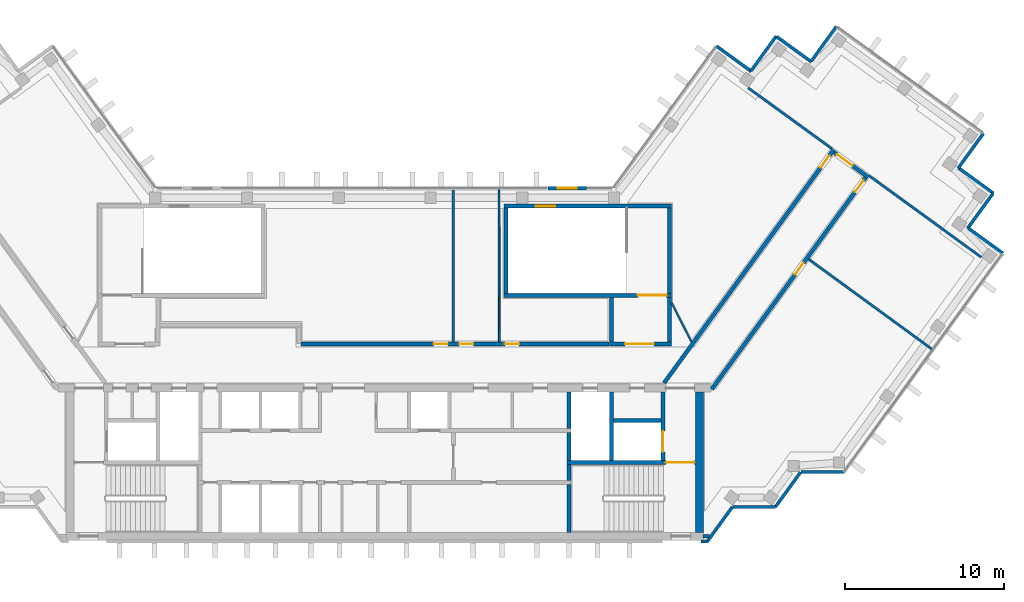
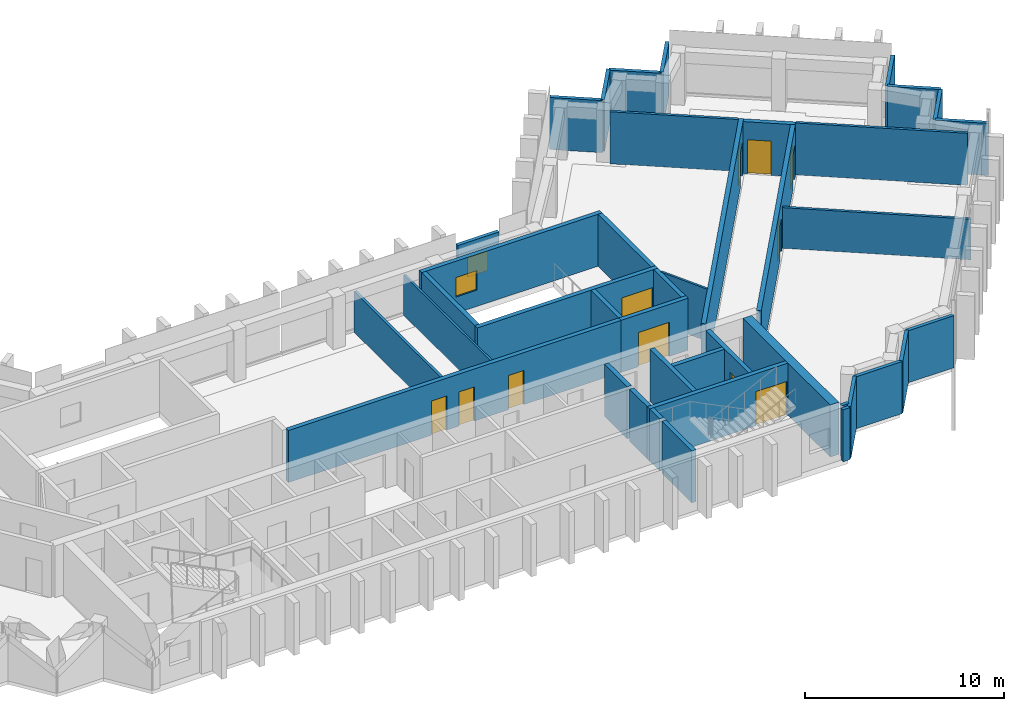
# One storey, part 6 of 8: 41 walls, 11 doors, 2 windows, 13 openings.
"""IFC4 building model written with IfcOpenShell, lengths in metres."""

from ifc_helpers import new_model, si_unit, direction, frame, frame_2d, origin, place, context, subcontext, project, spatial, rectangle, extrude, material, layer, layer_set, type_object, element, fill, save


model = new_model("IFC4")

# Units and contexts
model_context = context("Model", 3, precision=1e-05, world=origin(), true_north=direction((0.0, 1.0)))
body_context = subcontext(model_context, "Body", "Model", "MODEL_VIEW")
ifc_project = project(units=[si_unit("LENGTHUNIT", "METRE"), si_unit("AREAUNIT", "SQUARE_METRE"), si_unit("VOLUMEUNIT", "CUBIC_METRE"), si_unit("PLANEANGLEUNIT", "RADIAN"), si_unit("MASSUNIT", "GRAM", prefix="KILO")], contexts=[model_context])

# Site, building, storey
site_placement = place(None, origin())
site = spatial("IfcSite", under=ifc_project, at=site_placement, CompositionType="ELEMENT")
building_placement = place(site_placement, origin())
building = spatial("IfcBuilding", under=site, at=building_placement, Name="Quipu Civic Tower", CompositionType="ELEMENT")
storey_placement = place(building_placement, frame((0.0, 0.0, 351.0)))
storey = spatial("IfcBuildingStorey", under=building, at=storey_placement, Name="L82", CompositionType="ELEMENT", Elevation=351.0)

# Walls
ifc_material_1 = material(Name="Double gypsum plasterboard with mineral wool")
ifc_layer_1 = layer(ifc_material_1, 0.14990234375)
ifc_layer_set_1 = layer_set([ifc_layer_1], Name="Double gypsum plasterboard with mineral wool")
wall_type_1 = type_object("IfcWallType", Name="Acoustic partition 150 plasterboard", PredefinedType="PARTITIONING", material=ifc_layer_set_1)
wall_1_placement = place(storey_placement, frame((28.0732421875, 13.577880859375, 0.0), z_axis=(0.0, 0.0, 1.0), x_axis=(-0.809000932727, 0.587807358619, 0.0)))
element("IfcWall", 1, at=wall_1_placement, inside=storey, type_object=wall_type_1, Name="Partition P01", PredefinedType="PARTITIONING", context=body_context, shape_type="SweptSolid", body=[
    extrude(rectangle(XDim=6.49560546875, YDim=0.14990234375, at=frame_2d((3.247802734375, 0.0))), origin(), (0.0, 0.0, 1.0), 3.199951171875),
])
wall_2_placement = place(storey_placement, frame((37.4580078125, 6.759765625, 0.0), z_axis=(0.0, 0.0, 1.0), x_axis=(-0.809016295501, 0.587786214209, 0.0)))
element("IfcWall", 2, at=wall_2_placement, inside=storey, type_object=wall_type_1, Name="Partition P02", PredefinedType="PARTITIONING", context=body_context, shape_type="SweptSolid", body=[
    extrude(rectangle(XDim=8.700439453125, YDim=0.14990234375, at=frame_2d((4.35009765625, 0.0))), origin(), (0.0, 0.0, 1.0), 3.199951171875),
])
for number, where, z_axis, x_axis, name in (
    (3, (26.618896484375, 6.643310546875, 0.0), (0.0, 0.0, 1.0), (0.807594822539, -0.589737740532, 0.0), "Partition P03"),
    (4, (4.299072265625, 1.449951171875, 0.0), (0.0, 0.0, 1.0), (0.0, 1.0, 0.0), "Partition P06"),
):
    element("IfcWall", number, at=place(storey_placement, frame(where, z_axis=z_axis, x_axis=x_axis)), inside=storey, type_object=wall_type_1, Name=name, PredefinedType="PARTITIONING", context=body_context, shape_type="SweptSolid", body=[
        extrude(rectangle(XDim=9.550048828125, YDim=0.14990234375, at=frame_2d((4.77490234375, 0.0))), origin(), (0.0, 0.0, 1.0), 2.5),
    ])
ifc_material_2 = material(Name="Concrete C70/85", Category="concrete")
ifc_layer_2 = layer(ifc_material_2, 0.25)
ifc_layer_set_2 = layer_set([ifc_layer_2], Name="Concrete C70/85")
wall_type_2 = type_object("IfcWallType", Name="Core wall 250", PredefinedType="SHEAR", material=ifc_layer_set_2)
wall_3_placement = place(storey_placement, frame((11.574951171875, -10.5, 0.0), z_axis=(0.0, 0.0, 1.0), x_axis=(0.0, 1.0, 0.0)))
element("IfcWall", 5, at=wall_3_placement, inside=storey, type_object=wall_type_2, Name="Core wall", PredefinedType="SHEAR", context=body_context, shape_type="SweptSolid", body=[
    extrude(rectangle(XDim=3.0, YDim=0.25, at=frame_2d((1.5, 0.0))), origin(), (0.0, 0.0, 1.0), 3.199951171875),
])
wall_4_placement = place(storey_placement, frame((11.574951171875, -7.25, 0.0), z_axis=(0.0, 0.0, 1.0), x_axis=(0.0, 1.0, 0.0)))
element("IfcWall", 6, at=wall_4_placement, inside=storey, type_object=wall_type_2, Name="Core wall", PredefinedType="SHEAR", context=body_context, shape_type="SweptSolid", body=[
    extrude(rectangle(XDim=1.0, YDim=0.25, at=frame_2d((0.5, 0.0))), origin(), (0.0, 0.0, 1.0), 3.199951171875),
])

# Wall, opening, door
wall_5_placement = place(storey_placement, frame((19.5, -6.125, 0.0), z_axis=(0.0, 0.0, 1.0), x_axis=(-1.0, 0.0, 0.0)))
wall_5 = element("IfcWall", 7, at=wall_5_placement, inside=storey, type_object=wall_type_2, Name="Core wall", PredefinedType="SHEAR", context=body_context, shape_type="SweptSolid", body=[
    extrude(rectangle(XDim=8.050048828125, YDim=0.25, at=frame_2d((4.02490234375, 0.0))), origin(), (0.0, 0.0, 1.0), 3.199951171875),
])
opening_1_placement = place(wall_5_placement, frame((0.050048828125, 0.0, 0.0)))
opening_1 = element("IfcOpeningElement", 8, at=opening_1_placement, cuts=wall_5, Name="Opening CD-08", PredefinedType="OPENING", context=body_context, shape_type="SweptSolid", body=[
    extrude(rectangle(XDim=1.800048828125, YDim=2.10009765625, at=frame_2d((0.89990234375, 1.050048828125))), frame((0.0, 0.135009765625, 0.0), z_axis=(0.0, -1.0, 0.0), x_axis=(1.0, 0.0, 0.0)), (0.0, 0.0, 1.0), 0.27001953125),
])
ifc_material_3 = material(Name="Fire rated steel door", Category="steel")
door_type_1 = type_object("IfcDoorType", Name="Fire door FD90 double 1800 x 2100", OperationType="NOTDEFINED", PredefinedType="DOOR", material=ifc_material_3)
door_1_placement = place(opening_1_placement, origin())
door_1 = element("IfcDoor", 9, at=door_1_placement, inside=storey, type_object=door_type_1, Name="Door", OperationType="DOUBLE_DOOR_SINGLE_SWING", OverallHeight=2.10009765625, OverallWidth=1.800048828125, PredefinedType="DOOR", context=body_context, shape_type="SweptSolid", body=[
    extrude(rectangle(XDim=1.800048828125, YDim=2.10009765625, at=frame_2d((0.89990234375, 1.050048828125))), frame((0.0, 0.02490234375, 0.0), z_axis=(0.0, -1.0, 0.0), x_axis=(1.0, 0.0, 0.0)), (0.0, 0.0, 1.0), 0.050048828125),
])
fill(opening_1, door_1)

# Walls
wall_6_placement = place(storey_placement, frame((11.574951171875, -6.0, 0.0), z_axis=(0.0, 0.0, 1.0), x_axis=(0.0, 1.0, 0.0)))
element("IfcWall", 10, at=wall_6_placement, inside=storey, type_object=wall_type_2, Name="Core wall", PredefinedType="SHEAR", context=body_context, shape_type="SweptSolid", body=[
    extrude(rectangle(XDim=1.75, YDim=0.25, at=frame_2d((0.875, 0.0))), origin(), (0.0, 0.0, 1.0), 3.199951171875),
])
wall_7_placement = place(storey_placement, frame((14.22509765625, -6.0, 0.0), z_axis=(0.0, 0.0, 1.0), x_axis=(0.0, 1.0, 0.0)))
element("IfcWall", 11, at=wall_7_placement, inside=storey, type_object=wall_type_2, Name="Core wall", PredefinedType="SHEAR", context=body_context, shape_type="SweptSolid", body=[
    extrude(rectangle(XDim=4.300048828125, YDim=0.25, at=frame_2d((2.14990234375, 0.0))), origin(), (0.0, 0.0, 1.0), 3.199951171875),
])

# Wall, opening, door
wall_8_placement = place(storey_placement, frame((17.47509765625, -6.0, 0.0), z_axis=(0.0, 0.0, 1.0), x_axis=(0.0, 1.0, 0.0)))
wall_8 = element("IfcWall", 12, at=wall_8_placement, inside=storey, type_object=wall_type_2, Name="Core wall", PredefinedType="SHEAR", context=body_context, shape_type="SweptSolid", body=[
    extrude(rectangle(XDim=4.300048828125, YDim=0.25, at=frame_2d((2.14990234375, 0.0))), origin(), (0.0, 0.0, 1.0), 3.199951171875),
])
opening_2_placement = place(wall_8_placement, frame((0.550048828125, 0.0, 0.0)))
opening_2 = element("IfcOpeningElement", 13, at=opening_2_placement, cuts=wall_8, Name="Opening LD-FF2", PredefinedType="OPENING", context=body_context, shape_type="SweptSolid", body=[
    extrude(rectangle(XDim=1.300048828125, YDim=2.10009765625, at=frame_2d((0.64990234375, 1.050048828125))), frame((0.0, 0.135009765625, 0.0), z_axis=(0.0, -1.0, 0.0), x_axis=(1.0, 0.0, 0.0)), (0.0, 0.0, 1.0), 0.27001953125),
])
ifc_material_4 = material(Name="Stainless steel", Category="steel")
door_type_2 = type_object("IfcDoorType", Name="Lift landing door 1300 x 2100", OperationType="DOUBLE_DOOR_SLIDING", PredefinedType="DOOR", material=ifc_material_4)
door_2_placement = place(opening_2_placement, origin())
door_2 = element("IfcDoor", 14, at=door_2_placement, inside=storey, type_object=door_type_2, Name="Landing door FF2", OperationType="DOUBLE_DOOR_SLIDING", OverallHeight=2.10009765625, OverallWidth=1.300048828125, PredefinedType="DOOR", context=body_context, shape_type="SweptSolid", body=[
    extrude(rectangle(XDim=1.300048828125, YDim=2.10009765625, at=frame_2d((0.64990234375, 1.050048828125))), frame((0.0, 0.02490234375, 0.0), z_axis=(0.0, -1.0, 0.0), x_axis=(1.0, 0.0, 0.0)), (0.0, 0.0, 1.0), 0.050048828125),
])
fill(opening_2, door_2)

# Walls
wall_9_placement = place(storey_placement, frame((11.574951171875, -4.0, 0.0), z_axis=(0.0, 0.0, 1.0), x_axis=(0.0, 1.0, 0.0)))
element("IfcWall", 15, at=wall_9_placement, inside=storey, type_object=wall_type_2, Name="Core wall", PredefinedType="SHEAR", context=body_context, shape_type="SweptSolid", body=[
    extrude(rectangle(XDim=2.300048828125, YDim=0.25, at=frame_2d((1.14990234375, 0.0))), origin(), (0.0, 0.0, 1.0), 3.199951171875),
])
wall_10_placement = place(storey_placement, frame((14.35009765625, -3.47509765625, 0.0), z_axis=(0.0, 0.0, 1.0), x_axis=(1.0, 0.0, 0.0)))
element("IfcWall", 16, at=wall_10_placement, inside=storey, type_object=wall_type_2, Name="Core wall", PredefinedType="SHEAR", context=body_context, shape_type="SweptSolid", body=[
    extrude(rectangle(XDim=3.0, YDim=0.25, at=frame_2d((1.5, 0.0))), origin(), (0.0, 0.0, 1.0), 3.199951171875),
])

# Wall, opening, door
wall_11_placement = place(storey_placement, frame((14.10009765625, 1.324951171875, 0.0), z_axis=(0.0, 0.0, 1.0), x_axis=(1.0, 0.0, 0.0)))
wall_11 = element("IfcWall", 17, at=wall_11_placement, inside=storey, type_object=wall_type_2, Name="Core wall", PredefinedType="SHEAR", context=body_context, shape_type="SweptSolid", body=[
    extrude(rectangle(XDim=3.89990234375, YDim=0.25, at=frame_2d((1.949951171875, 0.0))), origin(), (0.0, 0.0, 1.0), 3.199951171875),
])
opening_3_placement = place(wall_11_placement, frame((1.0, 0.0, 0.0)))
opening_3 = element("IfcOpeningElement", 18, at=opening_3_placement, cuts=wall_11, Name="Opening CD-25", PredefinedType="OPENING", context=body_context, shape_type="SweptSolid", body=[
    extrude(rectangle(XDim=1.800048828125, YDim=2.10009765625, at=frame_2d((0.89990234375, 1.050048828125))), frame((0.0, 0.135009765625, 0.0), z_axis=(0.0, -1.0, 0.0), x_axis=(1.0, 0.0, 0.0)), (0.0, 0.0, 1.0), 0.27001953125),
])
door_3_placement = place(opening_3_placement, origin())
door_3 = element("IfcDoor", 19, at=door_3_placement, inside=storey, type_object=door_type_1, Name="Lobby door", OperationType="DOUBLE_DOOR_SINGLE_SWING", OverallHeight=2.10009765625, OverallWidth=1.800048828125, PredefinedType="DOOR", context=body_context, shape_type="SweptSolid", body=[
    extrude(rectangle(XDim=1.800048828125, YDim=2.10009765625, at=frame_2d((0.89990234375, 1.050048828125))), frame((0.0, 0.02490234375, 0.0), z_axis=(0.0, -1.0, 0.0), x_axis=(1.0, 0.0, 0.0)), (0.0, 0.0, 1.0), 0.050048828125),
])
fill(opening_3, door_3)

# Walls
for number, where, z_axis, x_axis, name in (
    (20, (14.22509765625, 1.449951171875, 0.0), (0.0, 0.0, 1.0), (0.0, 1.0, 0.0), "Core wall"),
    (21, (17.875, 1.449951171875, 0.0), (0.0, 0.0, 1.0), (0.0, 1.0, 0.0), "Core wall"),
):
    element("IfcWall", number, at=place(storey_placement, frame(where, z_axis=z_axis, x_axis=x_axis)), inside=storey, type_object=wall_type_2, Name=name, PredefinedType="SHEAR", context=body_context, shape_type="SweptSolid", body=[
        extrude(rectangle(XDim=2.800048828125, YDim=0.25, at=frame_2d((1.39990234375, 0.0))), origin(), (0.0, 0.0, 1.0), 3.199951171875),
    ])

# Wall, opening, door
wall_12_placement = place(storey_placement, frame((7.5, 4.375, 0.0), z_axis=(0.0, 0.0, 1.0), x_axis=(1.0, 0.0, 0.0)))
wall_12 = element("IfcWall", 22, at=wall_12_placement, inside=storey, type_object=wall_type_2, Name="Core wall", PredefinedType="SHEAR", context=body_context, shape_type="SweptSolid", body=[
    extrude(rectangle(XDim=10.5, YDim=0.25, at=frame_2d((5.25, 0.0))), origin(), (0.0, 0.0, 1.0), 3.199951171875),
])
opening_4_placement = place(wall_12_placement, frame((8.39990234375, 0.0, 0.0)))
opening_4 = element("IfcOpeningElement", 23, at=opening_4_placement, cuts=wall_12, Name="Opening CD-26", PredefinedType="OPENING", context=body_context, shape_type="SweptSolid", body=[
    extrude(rectangle(XDim=1.800048828125, YDim=2.10009765625, at=frame_2d((0.89990234375, 1.050048828125))), frame((0.0, 0.135009765625, 0.0), z_axis=(0.0, -1.0, 0.0), x_axis=(1.0, 0.0, 0.0)), (0.0, 0.0, 1.0), 0.27001953125),
])
door_4_placement = place(opening_4_placement, origin())
door_4 = element("IfcDoor", 24, at=door_4_placement, inside=storey, type_object=door_type_1, Name="Door", OperationType="DOUBLE_DOOR_SINGLE_SWING", OverallHeight=2.10009765625, OverallWidth=1.800048828125, PredefinedType="DOOR", context=body_context, shape_type="SweptSolid", body=[
    extrude(rectangle(XDim=1.800048828125, YDim=2.10009765625, at=frame_2d((0.89990234375, 1.050048828125))), frame((0.0, 0.02490234375, 0.0), z_axis=(0.0, -1.0, 0.0), x_axis=(1.0, 0.0, 0.0)), (0.0, 0.0, 1.0), 0.050048828125),
])
fill(opening_4, door_4)

# Walls
for number, where, z_axis, x_axis, name in (
    (25, (7.625, 4.5, 0.0), (0.0, 0.0, 1.0), (0.0, 1.0, 0.0), "Core wall"),
    (26, (17.875, 4.5, 0.0), (0.0, 0.0, 1.0), (0.0, 1.0, 0.0), "Core wall"),
):
    element("IfcWall", number, at=place(storey_placement, frame(where, z_axis=z_axis, x_axis=x_axis)), inside=storey, type_object=wall_type_2, Name=name, PredefinedType="SHEAR", context=body_context, shape_type="SweptSolid", body=[
        extrude(rectangle(XDim=5.35009765625, YDim=0.25, at=frame_2d((2.675048828125, 0.0))), origin(), (0.0, 0.0, 1.0), 3.199951171875),
    ])

# Wall, opening, window
wall_13_placement = place(storey_placement, frame((7.5, 9.97509765625, 0.0), z_axis=(0.0, 0.0, 1.0), x_axis=(1.0, 0.0, 0.0)))
wall_13 = element("IfcWall", 27, at=wall_13_placement, inside=storey, type_object=wall_type_2, Name="Core wall", PredefinedType="SHEAR", context=body_context, shape_type="SweptSolid", body=[
    extrude(rectangle(XDim=10.5, YDim=0.25, at=frame_2d((5.25, 0.0))), origin(), (0.0, 0.0, 1.0), 3.199951171875),
])
opening_5_placement = place(wall_13_placement, frame((2.0, 0.0, 1.0)))
opening_5 = element("IfcOpeningElement", 28, at=opening_5_placement, cuts=wall_13, Name="Opening SV-4", PredefinedType="OPENING", context=body_context, shape_type="SweptSolid", body=[
    extrude(rectangle(XDim=1.199951171875, YDim=1.199951171875, at=frame_2d((0.60009765625, 0.60009765625))), frame((0.0, 0.135009765625, 0.0), z_axis=(0.0, -1.0, 0.0), x_axis=(1.0, 0.0, 0.0)), (0.0, 0.0, 1.0), 0.27001953125),
])
ifc_material_5 = material(Name="Aluminium louvre", Category="aluminium")
window_type_1 = type_object("IfcWindowType", Name="Stair ventilation louvre 1200 x 1200", PartitioningType="SINGLE_PANEL", PredefinedType="WINDOW", material=ifc_material_5)
window_1_placement = place(opening_5_placement, origin())
window_1 = element("IfcWindow", 29, at=window_1_placement, inside=storey, type_object=window_type_1, Name="Stair ventilation opening", OverallHeight=1.199951171875, OverallWidth=1.199951171875, PartitioningType="SINGLE_PANEL", PredefinedType="WINDOW", context=body_context, shape_type="SweptSolid", body=[
    extrude(rectangle(XDim=1.199951171875, YDim=1.199951171875, at=frame_2d((0.60009765625, 0.60009765625))), frame((0.0, 0.030029296875, 0.0), z_axis=(0.0, -1.0, 0.0), x_axis=(1.0, 0.0, 0.0)), (0.0, 0.0, 1.0), 0.06005859375),
])
fill(opening_5, window_1)

# Wall
ifc_material_6 = material(Name="Concrete C70/85", Category="concrete")
ifc_layer_3 = layer(ifc_material_6, 0.5)
ifc_layer_set_3 = layer_set([ifc_layer_3], Name="Concrete C70/85")
wall_type_3 = type_object("IfcWallType", Name="Core wall 500", PredefinedType="SHEAR", material=ifc_layer_set_3)
wall_14_placement = place(storey_placement, frame((19.75, -10.5, 0.0), z_axis=(0.0, 0.0, 1.0), x_axis=(0.0, 1.0, 0.0)))
element("IfcWall", 30, at=wall_14_placement, inside=storey, type_object=wall_type_3, Name="Core wall", PredefinedType="SHEAR", context=body_context, shape_type="SweptSolid", body=[
    extrude(rectangle(XDim=8.800048828125, YDim=0.5, at=frame_2d((4.39990234375, 0.0))), origin(), (0.0, 0.0, 1.0), 3.199951171875),
])

# Wall, opening, door
ifc_material_7 = material(Name="Concrete C50/60", Category="concrete")
ifc_layer_4 = layer(ifc_material_7, 0.25)
ifc_layer_set_4 = layer_set([ifc_layer_4], Name="Concrete C50/60")
wall_type_4 = type_object("IfcWallType", Name="Corridor wall 250 concrete", PredefinedType="SOLIDWALL", material=ifc_layer_set_4)
wall_15_placement = place(storey_placement, frame((17.544921875, -1.124755859375, 0.0), z_axis=(0.0, 0.0, 1.0), x_axis=(0.58779555165, 0.809009511354, 0.0)))
wall_15 = element("IfcWall", 31, at=wall_15_placement, inside=storey, type_object=wall_type_4, Name="Corridor wall C01", PredefinedType="SOLIDWALL", context=body_context, shape_type="SweptSolid", body=[
    extrude(rectangle(XDim=18.10302734375, YDim=0.25, at=frame_2d((9.051513671875, 0.0))), origin(), (0.0, 0.0, 1.0), 3.199951171875),
])
opening_6_placement = place(wall_15_placement, frame((16.72802734375, 0.0, 0.0)))
opening_6 = element("IfcOpeningElement", 32, at=opening_6_placement, cuts=wall_15, Name="Opening D001", PredefinedType="OPENING", context=body_context, shape_type="SweptSolid", body=[
    extrude(rectangle(XDim=0.89990234375, YDim=2.10009765625, at=frame_2d((0.449951171875, 1.050048828125))), frame((0.0, 0.135009765625, 0.0), z_axis=(0.0, -1.0, 0.0), x_axis=(1.0, 0.0, 0.0)), (0.0, 0.0, 1.0), 0.27001953125),
])
ifc_material_8 = material(Name="Fire rated timber door set with metal frame", Category="wood")
door_type_3 = type_object("IfcDoorType", Name="Single door 900 x 2100 FD60", OperationType="NOTDEFINED", PredefinedType="DOOR", material=ifc_material_8)
door_5_placement = place(opening_6_placement, origin())
door_5 = element("IfcDoor", 33, at=door_5_placement, inside=storey, type_object=door_type_3, Name="Door D001", OperationType="SINGLE_SWING_RIGHT", OverallHeight=2.10009765625, OverallWidth=0.89990234375, PredefinedType="DOOR", context=body_context, shape_type="SweptSolid", body=[
    extrude(rectangle(XDim=0.89990234375, YDim=2.10009765625, at=frame_2d((0.449951171875, 1.050048828125))), frame((0.0, 0.02490234375, 0.0), z_axis=(0.0, -1.0, 0.0), x_axis=(1.0, 0.0, 0.0)), (0.0, 0.0, 1.0), 0.050048828125),
])
fill(opening_6, door_5)

wall_16_placement = place(storey_placement, frame((28.21337890625, 13.34619140625, 0.0), z_axis=(0.0, 0.0, 1.0), x_axis=(0.809006914995, -0.587799125119, 0.0)))
wall_16 = element("IfcWall", 34, at=wall_16_placement, inside=storey, type_object=wall_type_4, Name="Corridor wall C02", PredefinedType="SOLIDWALL", context=body_context, shape_type="SweptSolid", body=[
    extrude(rectangle(XDim=2.64990234375, YDim=0.25, at=frame_2d((1.324951171875, 0.0))), origin(), (0.0, 0.0, 1.0), 3.199951171875),
])
opening_7_placement = place(wall_16_placement, frame((0.224609375, 0.0, 0.0)))
opening_7 = element("IfcOpeningElement", 35, at=opening_7_placement, cuts=wall_16, Name="Opening D004", PredefinedType="OPENING", context=body_context, shape_type="SweptSolid", body=[
    extrude(rectangle(XDim=1.199951171875, YDim=2.10009765625, at=frame_2d((0.60009765625, 1.050048828125))), frame((0.0, 0.135009765625, 0.0), z_axis=(0.0, -1.0, 0.0), x_axis=(1.0, 0.0, 0.0)), (0.0, 0.0, 1.0), 0.27001953125),
])
ifc_material_9 = material(Name="Fire rated timber door set with metal frame", Category="wood")
door_type_4 = type_object("IfcDoorType", Name="Single door 1200 x 2100 FD60", OperationType="NOTDEFINED", PredefinedType="DOOR", material=ifc_material_9)
door_6_placement = place(opening_7_placement, origin())
door_6 = element("IfcDoor", 36, at=door_6_placement, inside=storey, type_object=door_type_4, Name="Door D004", OperationType="SINGLE_SWING_LEFT", OverallHeight=2.10009765625, OverallWidth=1.199951171875, PredefinedType="DOOR", context=body_context, shape_type="SweptSolid", body=[
    extrude(rectangle(XDim=1.199951171875, YDim=2.10009765625, at=frame_2d((0.60009765625, 1.050048828125))), frame((0.0, 0.02490234375, 0.0), z_axis=(0.0, -1.0, 0.0), x_axis=(1.0, 0.0, 0.0)), (0.0, 0.0, 1.0), 0.050048828125),
])
fill(opening_7, door_6)

# Wall, openings, doors
wall_17_placement = place(storey_placement, frame((30.1826171875, 11.760986328125, 0.0), z_axis=(0.0, 0.0, 1.0), x_axis=(-0.587781762867, -0.80901952958, 0.0)))
wall_17 = element("IfcWall", 37, at=wall_17_placement, inside=storey, type_object=wall_type_4, Name="Corridor wall C03", PredefinedType="SOLIDWALL", context=body_context, shape_type="SweptSolid", body=[
    extrude(rectangle(XDim=16.42041015625, YDim=0.25, at=frame_2d((8.210205078125, 0.0))), origin(), (0.0, 0.0, 1.0), 3.199951171875),
])
opening_8_placement = place(wall_17_placement, frame((0.224609375, 0.0, 0.0)))
opening_8 = element("IfcOpeningElement", 38, at=opening_8_placement, cuts=wall_17, Name="Opening D003", PredefinedType="OPENING", context=body_context, shape_type="SweptSolid", body=[
    extrude(rectangle(XDim=0.89990234375, YDim=2.10009765625, at=frame_2d((0.449951171875, 1.050048828125))), frame((0.0, 0.135009765625, 0.0), z_axis=(0.0, -1.0, 0.0), x_axis=(1.0, 0.0, 0.0)), (0.0, 0.0, 1.0), 0.27001953125),
])
opening_9_placement = place(wall_17_placement, frame((6.604736328125, 0.0, 0.0)))
opening_9 = element("IfcOpeningElement", 39, at=opening_9_placement, cuts=wall_17, Name="Opening D002", PredefinedType="OPENING", context=body_context, shape_type="SweptSolid", body=[
    extrude(rectangle(XDim=0.89990234375, YDim=2.10009765625, at=frame_2d((0.449951171875, 1.050048828125))), frame((0.0, 0.135009765625, 0.0), z_axis=(0.0, -1.0, 0.0), x_axis=(1.0, 0.0, 0.0)), (0.0, 0.0, 1.0), 0.27001953125),
])
door_7_placement = place(opening_8_placement, origin())
door_7 = element("IfcDoor", 40, at=door_7_placement, inside=storey, type_object=door_type_3, Name="Door D003", OperationType="SINGLE_SWING_LEFT", OverallHeight=2.10009765625, OverallWidth=0.89990234375, PredefinedType="DOOR", context=body_context, shape_type="SweptSolid", body=[
    extrude(rectangle(XDim=0.89990234375, YDim=2.10009765625, at=frame_2d((0.449951171875, 1.050048828125))), frame((0.0, 0.02490234375, 0.0), z_axis=(0.0, -1.0, 0.0), x_axis=(1.0, 0.0, 0.0)), (0.0, 0.0, 1.0), 0.050048828125),
])
fill(opening_8, door_7)
door_8_placement = place(opening_9_placement, origin())
door_8 = element("IfcDoor", 41, at=door_8_placement, inside=storey, type_object=door_type_3, Name="Door D002", OperationType="SINGLE_SWING_LEFT", OverallHeight=2.10009765625, OverallWidth=0.89990234375, PredefinedType="DOOR", context=body_context, shape_type="SweptSolid", body=[
    extrude(rectangle(XDim=0.89990234375, YDim=2.10009765625, at=frame_2d((0.449951171875, 1.050048828125))), frame((0.0, 0.02490234375, 0.0), z_axis=(0.0, -1.0, 0.0), x_axis=(1.0, 0.0, 0.0)), (0.0, 0.0, 1.0), 0.050048828125),
])
fill(opening_9, door_8)

wall_18_placement = place(storey_placement, frame((-5.246337890625, 1.324951171875, 0.0), z_axis=(0.0, 0.0, 1.0), x_axis=(1.0, 0.0, 0.0)))
wall_18 = element("IfcWall", 42, at=wall_18_placement, inside=storey, type_object=wall_type_4, Name="Corridor wall C09", PredefinedType="SOLIDWALL", context=body_context, shape_type="SweptSolid", body=[
    extrude(rectangle(XDim=19.33642578125, YDim=0.25, at=frame_2d((9.668212890625, 0.0))), origin(), (0.0, 0.0, 1.0), 3.199951171875),
])
opening_10_placement = place(wall_18_placement, frame((8.315185546875, 0.0, 0.0)))
opening_10 = element("IfcOpeningElement", 43, at=opening_10_placement, cuts=wall_18, Name="Opening D005", PredefinedType="OPENING", context=body_context, shape_type="SweptSolid", body=[
    extrude(rectangle(XDim=0.89990234375, YDim=2.10009765625, at=frame_2d((0.449951171875, 1.050048828125))), frame((0.0, 0.135009765625, 0.0), z_axis=(0.0, -1.0, 0.0), x_axis=(1.0, 0.0, 0.0)), (0.0, 0.0, 1.0), 0.27001953125),
])
opening_11_placement = place(wall_18_placement, frame((9.915283203125, 0.0, 0.0)))
opening_11 = element("IfcOpeningElement", 44, at=opening_11_placement, cuts=wall_18, Name="Opening D006", PredefinedType="OPENING", context=body_context, shape_type="SweptSolid", body=[
    extrude(rectangle(XDim=0.89990234375, YDim=2.10009765625, at=frame_2d((0.449951171875, 1.050048828125))), frame((0.0, 0.135009765625, 0.0), z_axis=(0.0, -1.0, 0.0), x_axis=(1.0, 0.0, 0.0)), (0.0, 0.0, 1.0), 0.27001953125),
])
opening_12_placement = place(wall_18_placement, frame((12.794189453125, 0.0, 0.0)))
opening_12 = element("IfcOpeningElement", 45, at=opening_12_placement, cuts=wall_18, Name="Opening D007", PredefinedType="OPENING", context=body_context, shape_type="SweptSolid", body=[
    extrude(rectangle(XDim=0.89990234375, YDim=2.10009765625, at=frame_2d((0.449951171875, 1.050048828125))), frame((0.0, 0.135009765625, 0.0), z_axis=(0.0, -1.0, 0.0), x_axis=(1.0, 0.0, 0.0)), (0.0, 0.0, 1.0), 0.27001953125),
])
door_9_placement = place(opening_10_placement, origin())
door_9 = element("IfcDoor", 46, at=door_9_placement, inside=storey, type_object=door_type_3, Name="Door D005", OperationType="SINGLE_SWING_RIGHT", OverallHeight=2.10009765625, OverallWidth=0.89990234375, PredefinedType="DOOR", context=body_context, shape_type="SweptSolid", body=[
    extrude(rectangle(XDim=0.89990234375, YDim=2.10009765625, at=frame_2d((0.449951171875, 1.050048828125))), frame((0.0, 0.02490234375, 0.0), z_axis=(0.0, -1.0, 0.0), x_axis=(1.0, 0.0, 0.0)), (0.0, 0.0, 1.0), 0.050048828125),
])
fill(opening_10, door_9)
door_10_placement = place(opening_11_placement, origin())
door_10 = element("IfcDoor", 47, at=door_10_placement, inside=storey, type_object=door_type_3, Name="Door D006", OperationType="SINGLE_SWING_LEFT", OverallHeight=2.10009765625, OverallWidth=0.89990234375, PredefinedType="DOOR", context=body_context, shape_type="SweptSolid", body=[
    extrude(rectangle(XDim=0.89990234375, YDim=2.10009765625, at=frame_2d((0.449951171875, 1.050048828125))), frame((0.0, 0.02490234375, 0.0), z_axis=(0.0, -1.0, 0.0), x_axis=(1.0, 0.0, 0.0)), (0.0, 0.0, 1.0), 0.050048828125),
])
fill(opening_11, door_10)
door_11_placement = place(opening_12_placement, origin())
door_11 = element("IfcDoor", 48, at=door_11_placement, inside=storey, type_object=door_type_3, Name="Door D007", OperationType="SINGLE_SWING_LEFT", OverallHeight=2.10009765625, OverallWidth=0.89990234375, PredefinedType="DOOR", context=body_context, shape_type="SweptSolid", body=[
    extrude(rectangle(XDim=0.89990234375, YDim=2.10009765625, at=frame_2d((0.449951171875, 1.050048828125))), frame((0.0, 0.02490234375, 0.0), z_axis=(0.0, -1.0, 0.0), x_axis=(1.0, 0.0, 0.0)), (0.0, 0.0, 1.0), 0.050048828125),
])
fill(opening_12, door_11)

# Walls
ifc_material_10 = material(Name="Gypsum plasterboard on light gauge framing")
ifc_layer_5 = layer(ifc_material_10, 0.1201171875)
ifc_layer_set_5 = layer_set([ifc_layer_5], Name="Gypsum plasterboard on light gauge framing")
wall_type_5 = type_object("IfcWallType", Name="Partition 120 plasterboard", PredefinedType="PARTITIONING", material=ifc_layer_set_5)
wall_19_placement = place(storey_placement, frame((7.197998046875, 1.449951171875, 0.0), z_axis=(0.0, 0.0, 1.0), x_axis=(-0.002377476217, 0.999997173799, 0.0)))
element("IfcWall", 49, at=wall_19_placement, inside=storey, type_object=wall_type_5, Name="Partition P07", PredefinedType="PARTITIONING", context=body_context, shape_type="SweptSolid", body=[
    extrude(rectangle(XDim=9.550048828125, YDim=0.1201171875, at=frame_2d((4.77490234375, 0.0))), origin(), (0.0, 0.0, 1.0), 2.5),
])
wall_20_placement = place(storey_placement, frame((18.0, 3.925048828125, 0.0), z_axis=(0.0, 0.0, 1.0), x_axis=(0.453950796792, -0.891026752736, 0.0)))
element("IfcWall", 50, at=wall_20_placement, inside=storey, type_object=wall_type_5, Name="Partition P08", PredefinedType="PARTITIONING", context=body_context, shape_type="SweptSolid", body=[
    extrude(rectangle(XDim=2.77783203125, YDim=0.1201171875, at=frame_2d((1.388916015625, 0.0))), origin(), (0.0, 0.0, 1.0), 3.199951171875),
])
ifc_material_11 = material(Name="Precast concrete C40/50", Category="concrete")
wall_type_6 = type_object("IfcWallType", Name="Precast cladding wall", PredefinedType="SOLIDWALL", material=ifc_material_11)
wall_21_placement = place(storey_placement, frame((19.85009765625, -11.087890625, 0.0), z_axis=(0.0, 0.0, 1.0), x_axis=(1.0, 0.0, 0.0)))
element("IfcWall", 51, at=wall_21_placement, inside=storey, type_object=wall_type_6, Name="Precast cladding wall L82 P19", PredefinedType="SOLIDWALL", context=body_context, shape_type="SweptSolid", body=[
    extrude(rectangle(XDim=0.40576171875, YDim=0.199951171875, at=frame_2d((0.202880859375, 0.0))), origin(), (0.0, 0.0, 1.0), 3.199951171875),
])
wall_22_placement = place(storey_placement, frame((20.253173828125, -11.083251953125, 0.0), z_axis=(0.0, 0.0, 1.0), x_axis=(0.587766567315, 0.809030569476, 0.0)))
element("IfcWall", 52, at=wall_22_placement, inside=storey, type_object=wall_type_6, Name="Precast cladding wall L82 P20", PredefinedType="SOLIDWALL", context=body_context, shape_type="SweptSolid", body=[
    extrude(rectangle(XDim=2.687744140625, YDim=0.199951171875, at=frame_2d((1.34375, 0.0))), origin(), (0.0, 0.0, 1.0), 3.199951171875),
])
wall_23_placement = place(storey_placement, frame((36.0048828125, 12.3515625, 0.0), z_axis=(0.0, 0.0, 1.0), x_axis=(0.587762999008, 0.809033161865, 0.0)))
element("IfcWall", 53, at=wall_23_placement, inside=storey, type_object=wall_type_6, Name="Precast cladding wall L82 P21", PredefinedType="SOLIDWALL", context=body_context, shape_type="SweptSolid", body=[
    extrude(rectangle(XDim=2.699951171875, YDim=0.199951171875, at=frame_2d((1.35009765625, 0.0))), origin(), (0.0, 0.0, 1.0), 3.199951171875),
])
for number, where, z_axis, x_axis, name in (
    (54, (28.3544921875, 21.247314453125, 0.0), (0.0, 0.0, 1.0), (-0.587720002413, -0.809064397168, 0.0), "Precast cladding wall L82 P23"),
    (55, (26.78466796875, 19.03564453125, 0.0), (0.0, 0.0, 1.0), (-0.809064397168, 0.587720002413, 0.0), "Precast cladding wall L82 P24"),
):
    element("IfcWall", number, at=place(storey_placement, frame(where, z_axis=z_axis, x_axis=x_axis)), inside=storey, type_object=wall_type_6, Name=name, PredefinedType="SOLIDWALL", context=body_context, shape_type="SweptSolid", body=[
        extrude(rectangle(XDim=2.7001953125, YDim=0.199951171875, at=frame_2d((1.35009765625, 0.0))), origin(), (0.0, 0.0, 1.0), 3.199951171875),
    ])
for number, where, z_axis, x_axis, name in (
    (56, (24.583251953125, 20.64990234375, 0.0), (0.0, 0.0, 1.0), (-0.587762999008, -0.809033161865, 0.0), "Precast cladding wall L82 P25"),
    (57, (23.01318359375, 18.438232421875, 0.0), (0.0, 0.0, 1.0), (-0.808990163075, 0.587822180636, 0.0), "Precast cladding wall L82 P26"),
):
    element("IfcWall", number, at=place(storey_placement, frame(where, z_axis=z_axis, x_axis=x_axis)), inside=storey, type_object=wall_type_6, Name=name, PredefinedType="SOLIDWALL", context=body_context, shape_type="SweptSolid", body=[
        extrude(rectangle(XDim=2.699951171875, YDim=0.199951171875, at=frame_2d((1.35009765625, 0.0))), origin(), (0.0, 0.0, 1.0), 3.199951171875),
    ])

# Wall, opening, window
wall_24_placement = place(storey_placement, frame((12.655029296875, 11.10009765625, 0.0), z_axis=(0.0, 0.0, 1.0), x_axis=(-1.0, 0.0, 0.0)))
wall_24 = element("IfcWall", 58, at=wall_24_placement, inside=storey, type_object=wall_type_6, Name="Vent surround SF-L80-2", PredefinedType="SOLIDWALL", context=body_context, shape_type="SweptSolid", body=[
    extrude(rectangle(XDim=2.3916015625, YDim=0.199951171875, at=frame_2d((1.19580078125, 0.0))), origin(), (0.0, 0.0, 1.0), 3.199951171875),
])
opening_13_placement = place(wall_24_placement, frame((0.595703125, 0.0, 1.0)))
opening_13 = element("IfcOpeningElement", 59, at=opening_13_placement, cuts=wall_24, Name="Opening SF-L80-2", PredefinedType="OPENING", context=body_context, shape_type="SweptSolid", body=[
    extrude(rectangle(XDim=1.199951171875, YDim=1.199951171875, at=frame_2d((0.60009765625, 0.60009765625))), frame((0.0, 0.10986328125, 0.0), z_axis=(0.0, -1.0, 0.0), x_axis=(1.0, 0.0, 0.0)), (0.0, 0.0, 1.0), 0.219970703125),
])
ifc_material_12 = material(Name="Anodised aluminium louvre", Category="aluminium")
window_type_2 = type_object("IfcWindowType", Name="Stair vent louvre window P3", PartitioningType="SINGLE_PANEL", PredefinedType="WINDOW", material=ifc_material_12)
window_2_placement = place(opening_13_placement, origin())
window_2 = element("IfcWindow", 60, at=window_2_placement, inside=storey, type_object=window_type_2, Name="Stair vent louvre SF-L80-2", OverallHeight=1.199951171875, OverallWidth=1.199951171875, PartitioningType="SINGLE_PANEL", PredefinedType="WINDOW", context=body_context, shape_type="SweptSolid", body=[
    extrude(rectangle(XDim=1.199951171875, YDim=1.199951171875, at=frame_2d((0.60009765625, 0.60009765625))), frame((0.0, 0.030029296875, 0.0), z_axis=(0.0, -1.0, 0.0), x_axis=(1.0, 0.0, 0.0)), (0.0, 0.0, 1.0), 0.06005859375),
])
fill(opening_13, window_2)

# Walls
wall_25_placement = place(storey_placement, frame((21.8427734375, -8.90380859375, 0.0), z_axis=(0.0, 0.0, 1.0), x_axis=(1.0, 0.0, 0.0)))
element("IfcWall", 61, at=wall_25_placement, inside=storey, type_object=wall_type_6, Name="Precast cladding wall L82 P33", PredefinedType="SOLIDWALL", context=body_context, shape_type="SweptSolid", body=[
    extrude(rectangle(XDim=2.699951171875, YDim=0.199951171875, at=frame_2d((1.35009765625, 0.0))), origin(), (0.0, 0.0, 1.0), 3.199951171875),
])
wall_26_placement = place(storey_placement, frame((24.533203125, -8.90869140625, 0.0), z_axis=(0.0, 0.0, 1.0), x_axis=(0.587720002413, 0.809064397168, 0.0)))
element("IfcWall", 62, at=wall_26_placement, inside=storey, type_object=wall_type_6, Name="Precast cladding wall L82 P34", PredefinedType="SOLIDWALL", context=body_context, shape_type="SweptSolid", body=[
    extrude(rectangle(XDim=2.7001953125, YDim=0.199951171875, at=frame_2d((1.35009765625, 0.0))), origin(), (0.0, 0.0, 1.0), 3.199951171875),
])
for number, where, z_axis, x_axis, name in (
    (63, (26.1298828125, -6.71923828125, 0.0), (0.0, 0.0, 1.0), (1.0, 0.0, 0.0), "Precast cladding wall L82 P35"),
    (64, (38.813720703125, 7.010498046875, 0.0), (0.0, 0.0, 1.0), (-0.809033161865, 0.587762999008, 0.0), "Precast cladding wall L82 1"),
    (65, (36.60205078125, 8.580322265625, 0.0), (0.0, 0.0, 1.0), (0.587822180636, 0.808990163075, 0.0), "Precast cladding wall L82 2"),
    (66, (38.21630859375, 10.78173828125, 0.0), (0.0, 0.0, 1.0), (-0.809033161865, 0.587762999008, 0.0), "Precast cladding wall L82 3"),
):
    element("IfcWall", number, at=place(storey_placement, frame(where, z_axis=z_axis, x_axis=x_axis)), inside=storey, type_object=wall_type_6, Name=name, PredefinedType="SOLIDWALL", context=body_context, shape_type="SweptSolid", body=[
        extrude(rectangle(XDim=2.699951171875, YDim=0.199951171875, at=frame_2d((1.35009765625, 0.0))), origin(), (0.0, 0.0, 1.0), 3.199951171875),
    ])
wall_27_placement = place(storey_placement, frame((19.97998046875, -10.75, 0.0), z_axis=(0.0, 0.0, 1.0), x_axis=(1.0, 0.0, 0.0)))
element("IfcWall", 67, at=wall_27_placement, inside=storey, type_object=wall_type_6, Name="Precast cladding return L82 E", PredefinedType="SOLIDWALL", context=body_context, shape_type="SweptSolid", body=[
    extrude(rectangle(XDim=0.41650390625, YDim=0.199951171875, at=frame_2d((0.208251953125, 0.0))), origin(), (0.0, 0.0, 1.0), 3.199951171875),
])

save(model, "model.ifc")
